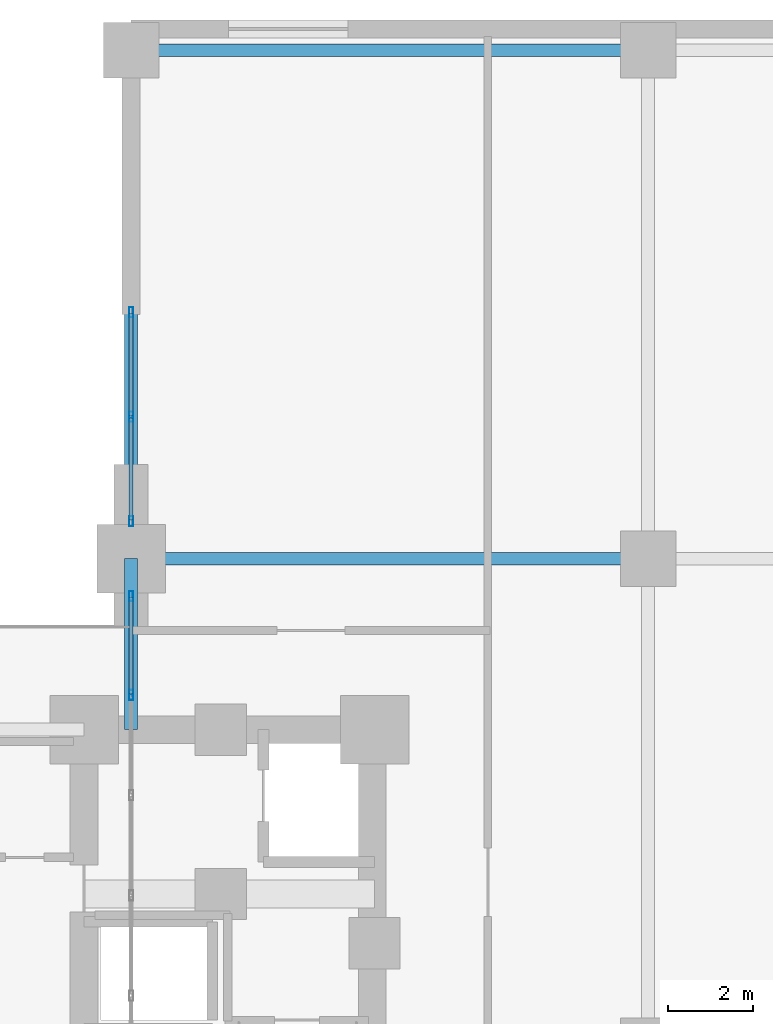
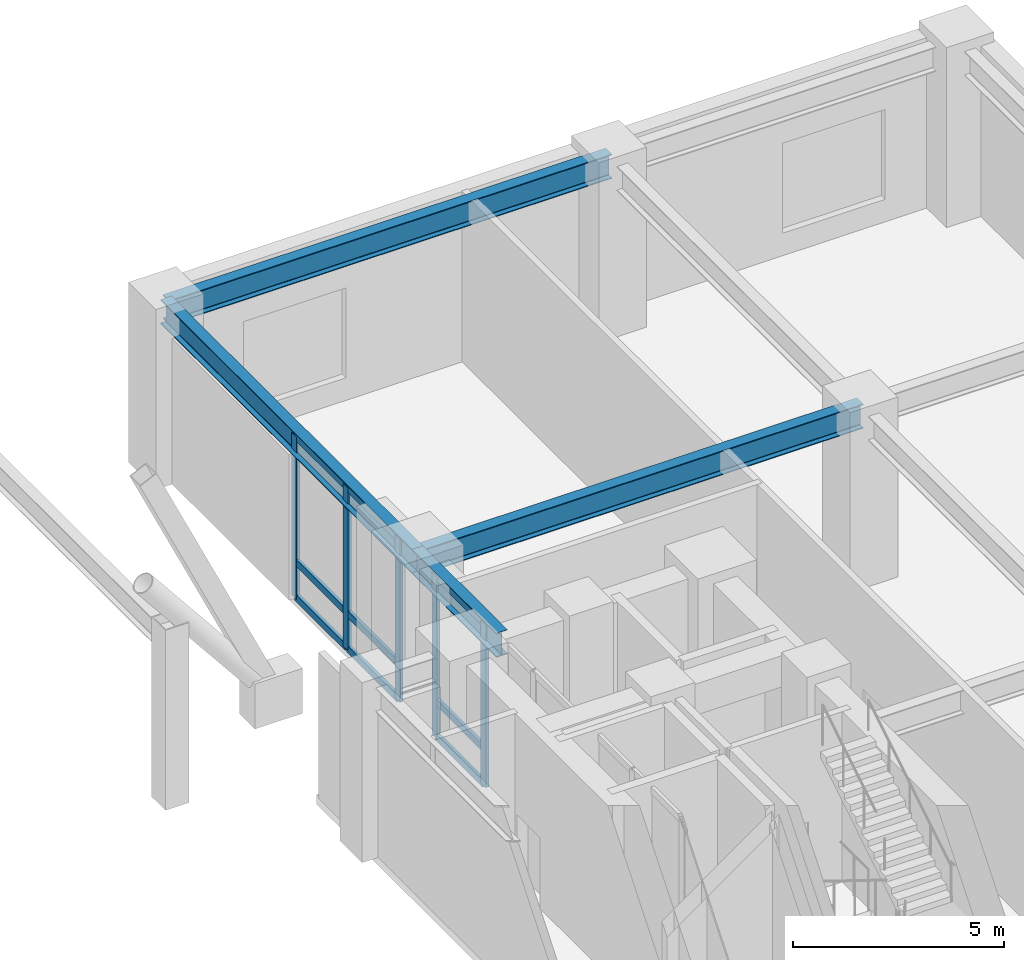
# One storey, part 13 of 26: 14 members, 4 beams, 2 elements without a shape of their own.
"""IFC4 building model written with IfcOpenShell, lengths in metres."""

from ifc_helpers import new_model, si_unit, direction, frame, origin, origin_2d, place, context, subcontext, project, spatial, hollow_rectangle, i_section, extrude, material, layer, layer_set, material_profile, profile_set, type_object, element, aggregate, save


model = new_model("IFC4")

# Units and contexts
model_context = context("Model", 3, precision=1e-05, world=origin(), true_north=direction((0.0, 1.0)))
body_context = subcontext(model_context, "Body", "Model", "MODEL_VIEW")
ifc_project = project(units=[si_unit("LENGTHUNIT", "METRE"), si_unit("AREAUNIT", "SQUARE_METRE"), si_unit("VOLUMEUNIT", "CUBIC_METRE"), si_unit("PLANEANGLEUNIT", "RADIAN"), si_unit("MASSUNIT", "GRAM", prefix="KILO")], contexts=[model_context])

# Site, building, storey
site_placement = place(None, origin())
site = spatial("IfcSite", under=ifc_project, at=site_placement, CompositionType="ELEMENT")
building_placement = place(site_placement, origin())
building = spatial("IfcBuilding", under=site, at=building_placement, Name="Voryun Gate Residences", CompositionType="ELEMENT")
storey_placement = place(building_placement, frame((0.0, 0.0, 10.39990234375)))
storey = spatial("IfcBuildingStorey", under=building, at=storey_placement, Name="L02", CompositionType="ELEMENT", Elevation=10.39990234375)

# Beams
ifc_material_1 = material(Name="Steel SM355", Category="steel")
ifc_material_profile_1 = material_profile(ifc_material_1, i_section(OverallWidth=0.300048828125, OverallDepth=0.699951171875, WebThickness=0.012939453125, FlangeThickness=0.02392578125, FilletRadius=0.01806640625, at=origin_2d()), Name="H-700x300x13x24")
ifc_profile_set_1 = profile_set([ifc_material_profile_1], Name="Steel SM355")
beam_type = type_object("IfcBeamType", Name="BM_GIRD_700", PredefinedType="USERDEFINED", material=ifc_profile_set_1)
for number, where, z_axis, x_axis, name in (
    (1, (13.5, 11.39990234375, 4.570068359375), (1.0, 0.0, 0.0), (0.0, 1.0, 0.0), "BM-L02-PEX-+11.4-0"),
    (2, (13.5, 23.300048828125, 4.570068359375), (1.0, 0.0, 0.0), (0.0, 1.0, 0.0), "BM-L02-PEX-+23.3-0"),
):
    element("IfcBeam", number, at=place(storey_placement, frame(where, z_axis=z_axis, x_axis=x_axis)), inside=storey, type_object=beam_type, Name=name, ObjectType="GIRDER", PredefinedType="USERDEFINED", context=body_context, shape_type="SweptSolid", body=[
        extrude(i_section(OverallWidth=0.300048828125, OverallDepth=0.699951171875, WebThickness=0.012939453125, FlangeThickness=0.02392578125, FilletRadius=0.01806640625, at=origin_2d()), origin(), (0.0, 0.0, 1.0), 12.10009765625),
    ])
beam_1_placement = place(storey_placement, frame((13.5, 7.39990234375, 4.570068359375), z_axis=(0.0, 1.0, 0.0), x_axis=(-1.0, 0.0, 0.0)))
element("IfcBeam", 3, at=beam_1_placement, inside=storey, type_object=beam_type, Name="BM-L02-PEYA-+7.4", ObjectType="GIRDER", PredefinedType="USERDEFINED", context=body_context, shape_type="SweptSolid", body=[
    extrude(i_section(OverallWidth=0.300048828125, OverallDepth=0.699951171875, WebThickness=0.012939453125, FlangeThickness=0.02392578125, FilletRadius=0.01806640625, at=origin_2d()), origin(), (0.0, 0.0, 1.0), 4.0),
])
beam_2_placement = place(storey_placement, frame((13.5, 11.39990234375, 4.570068359375), z_axis=(0.0, 1.0, 0.0), x_axis=(-1.0, 0.0, 0.0)))
element("IfcBeam", 4, at=beam_2_placement, inside=storey, type_object=beam_type, Name="BM-L02-PEYA-+11.4", ObjectType="GIRDER", PredefinedType="USERDEFINED", context=body_context, shape_type="SweptSolid", body=[
    extrude(i_section(OverallWidth=0.300048828125, OverallDepth=0.699951171875, WebThickness=0.012939453125, FlangeThickness=0.02392578125, FilletRadius=0.01806640625, at=origin_2d()), origin(), (0.0, 0.0, 1.0), 11.900146484375),
])

# Curtain wall, members
ifc_material_2 = material(Name="Anodised aluminium", Category="aluminium")
ifc_layer = layer(ifc_material_2, 0.239990234375, Name="CW_SYS_ARCH_DARK_GLASS")
ifc_layer_set = layer_set([ifc_layer], Name="Anodised aluminium")
curtain_wall_type = type_object("IfcCurtainWallType", Name="CW_SYS_ARCH_DARK_GLASS", PredefinedType="NOTDEFINED", material=ifc_layer_set)
curtain_wall_1_placement = place(storey_placement, origin())
curtain_wall_1 = element("IfcCurtainWall", 5, at=curtain_wall_1_placement, inside=storey, type_object=curtain_wall_type, Name="Curtain wall CW2-L02-EP-M", PredefinedType="NOTDEFINED")
ifc_material_3 = material(Name="Anodised aluminium", Category="aluminium")
ifc_material_profile_2 = material_profile(ifc_material_3, hollow_rectangle(XDim=0.090087890625, YDim=0.239990234375, WallThickness=0.006103515625, at=origin_2d()), Name="ALU-MULL-240x90x6")
ifc_profile_set_2 = profile_set([ifc_material_profile_2], Name="Anodised aluminium")
member_type_1 = type_object("IfcMemberType", Name="CW_MULL_ARCH", PredefinedType="MULLION", material=ifc_profile_set_2)
member_1_placement = place(storey_placement, frame((13.5, 8.20947265625, 0.0), z_axis=(0.0, 0.0, 1.0), x_axis=(-1.0, 0.0, 0.0)))
member_1 = element("IfcMember", 6, at=member_1_placement, type_object=member_type_1, Name="CW2 mullion 9", PredefinedType="MULLION", context=body_context, shape_type="SweptSolid", body=[
    extrude(hollow_rectangle(XDim=0.090087890625, YDim=0.239990234375, WallThickness=0.006103515625, at=origin_2d()), origin(), (0.0, 0.0, 1.0), 4.7001953125),
])
member_2_placement = place(storey_placement, frame((13.5, 10.52490234375, 0.0), z_axis=(0.0, 0.0, 1.0), x_axis=(-1.0, 0.0, 0.0)))
member_2 = element("IfcMember", 7, at=member_2_placement, type_object=member_type_1, Name="CW2 mullion 10", PredefinedType="MULLION", context=body_context, shape_type="SweptSolid", body=[
    extrude(hollow_rectangle(XDim=0.090087890625, YDim=0.239990234375, WallThickness=0.006103515625, at=origin_2d()), origin(), (0.0, 0.0, 1.0), 4.7001953125),
])

curtain_wall_2_placement = place(storey_placement, origin())
curtain_wall_2 = element("IfcCurtainWall", 8, at=curtain_wall_2_placement, inside=storey, type_object=curtain_wall_type, Name="Curtain wall CW2-L02-EP-N", PredefinedType="NOTDEFINED")
member_3_placement = place(storey_placement, frame((13.5, 12.27490234375, 0.0), z_axis=(0.0, 0.0, 1.0), x_axis=(-1.0, 0.0, 0.0)))
member_3 = element("IfcMember", 9, at=member_3_placement, type_object=member_type_1, Name="CW2 mullion 1", PredefinedType="MULLION", context=body_context, shape_type="SweptSolid", body=[
    extrude(hollow_rectangle(XDim=0.090087890625, YDim=0.239990234375, WallThickness=0.006103515625, at=origin_2d()), origin(), (0.0, 0.0, 1.0), 4.7001953125),
])
member_4_placement = place(storey_placement, frame((13.5, 14.722412109375, 0.0), z_axis=(0.0, 0.0, 1.0), x_axis=(-1.0, 0.0, 0.0)))
member_4 = element("IfcMember", 10, at=member_4_placement, type_object=member_type_1, Name="CW2 mullion 2", PredefinedType="MULLION", context=body_context, shape_type="SweptSolid", body=[
    extrude(hollow_rectangle(XDim=0.090087890625, YDim=0.239990234375, WallThickness=0.006103515625, at=origin_2d()), origin(), (0.0, 0.0, 1.0), 4.7001953125),
])
member_5_placement = place(storey_placement, frame((13.5, 17.169921875, 0.0), z_axis=(0.0, 0.0, 1.0), x_axis=(-1.0, 0.0, 0.0)))
member_5 = element("IfcMember", 11, at=member_5_placement, type_object=member_type_1, Name="CW2 mullion 3", PredefinedType="MULLION", context=body_context, shape_type="SweptSolid", body=[
    extrude(hollow_rectangle(XDim=0.090087890625, YDim=0.239990234375, WallThickness=0.006103515625, at=origin_2d()), origin(), (0.0, 0.0, 1.0), 4.7001953125),
])

# Member
ifc_material_4 = material(Name="Anodised aluminium", Category="aluminium")
ifc_material_profile_3 = material_profile(ifc_material_4, hollow_rectangle(XDim=0.090087890625, YDim=0.199951171875, WallThickness=0.006103515625, at=origin_2d()), Name="ALU-TRAN-200x90x6")
ifc_profile_set_3 = profile_set([ifc_material_profile_3], Name="Anodised aluminium")
member_type_2 = type_object("IfcMemberType", Name="CW_TRAN_ARCH", PredefinedType="USERDEFINED", material=ifc_profile_set_3)
member_6_placement = place(storey_placement, frame((13.5, 8.239501953125, 0.030029296875), z_axis=(0.0, 1.0, 0.0), x_axis=(-1.0, 0.0, 0.0)))
member_6 = element("IfcMember", 12, at=member_6_placement, type_object=member_type_2, Name="CW2 transom 9.1", ObjectType="TRANSOM", PredefinedType="USERDEFINED", context=body_context, shape_type="SweptSolid", body=[
    extrude(hollow_rectangle(XDim=0.090087890625, YDim=0.199951171875, WallThickness=0.006103515625, at=origin_2d()), origin(), (0.0, 0.0, 1.0), 2.255615234375),
])

member_7_placement = place(storey_placement, frame((13.5, 8.239501953125, 1.050048828125), z_axis=(0.0, 1.0, 0.0), x_axis=(-1.0, 0.0, 0.0)))
member_7 = element("IfcMember", 13, at=member_7_placement, type_object=member_type_2, Name="CW2 transom 9.2", ObjectType="TRANSOM", PredefinedType="USERDEFINED", context=body_context, shape_type="SweptSolid", body=[
    extrude(hollow_rectangle(XDim=0.090087890625, YDim=0.199951171875, WallThickness=0.006103515625, at=origin_2d()), origin(), (0.0, 0.0, 1.0), 2.255615234375),
])

member_8_placement = place(storey_placement, frame((13.5, 8.239501953125, 4.670166015625), z_axis=(0.0, 1.0, 0.0), x_axis=(-1.0, 0.0, 0.0)))
member_8 = element("IfcMember", 14, at=member_8_placement, type_object=member_type_2, Name="CW2 transom 9.3", ObjectType="TRANSOM", PredefinedType="USERDEFINED", context=body_context, shape_type="SweptSolid", body=[
    extrude(hollow_rectangle(XDim=0.090087890625, YDim=0.199951171875, WallThickness=0.006103515625, at=origin_2d()), origin(), (0.0, 0.0, 1.0), 2.255615234375),
])

aggregate(curtain_wall_1, [member_1, member_2, member_6, member_7, member_8])

member_9_placement = place(storey_placement, frame((13.5, 12.304931640625, 0.030029296875), z_axis=(0.0, 1.0, 0.0), x_axis=(-1.0, 0.0, 0.0)))
member_9 = element("IfcMember", 15, at=member_9_placement, type_object=member_type_2, Name="CW2 transom 1.1", ObjectType="TRANSOM", PredefinedType="USERDEFINED", context=body_context, shape_type="SweptSolid", body=[
    extrude(hollow_rectangle(XDim=0.090087890625, YDim=0.199951171875, WallThickness=0.006103515625, at=origin_2d()), origin(), (0.0, 0.0, 1.0), 2.387451171875),
])

member_10_placement = place(storey_placement, frame((13.5, 12.304931640625, 1.050048828125), z_axis=(0.0, 1.0, 0.0), x_axis=(-1.0, 0.0, 0.0)))
member_10 = element("IfcMember", 16, at=member_10_placement, type_object=member_type_2, Name="CW2 transom 1.2", ObjectType="TRANSOM", PredefinedType="USERDEFINED", context=body_context, shape_type="SweptSolid", body=[
    extrude(hollow_rectangle(XDim=0.090087890625, YDim=0.199951171875, WallThickness=0.006103515625, at=origin_2d()), origin(), (0.0, 0.0, 1.0), 2.387451171875),
])

member_11_placement = place(storey_placement, frame((13.5, 12.304931640625, 4.670166015625), z_axis=(0.0, 1.0, 0.0), x_axis=(-1.0, 0.0, 0.0)))
member_11 = element("IfcMember", 17, at=member_11_placement, type_object=member_type_2, Name="CW2 transom 1.3", ObjectType="TRANSOM", PredefinedType="USERDEFINED", context=body_context, shape_type="SweptSolid", body=[
    extrude(hollow_rectangle(XDim=0.090087890625, YDim=0.199951171875, WallThickness=0.006103515625, at=origin_2d()), origin(), (0.0, 0.0, 1.0), 2.387451171875),
])

member_12_placement = place(storey_placement, frame((13.5, 14.75244140625, 0.030029296875), z_axis=(0.0, 1.0, 0.0), x_axis=(-1.0, 0.0, 0.0)))
member_12 = element("IfcMember", 18, at=member_12_placement, type_object=member_type_2, Name="CW2 transom 2.1", ObjectType="TRANSOM", PredefinedType="USERDEFINED", context=body_context, shape_type="SweptSolid", body=[
    extrude(hollow_rectangle(XDim=0.090087890625, YDim=0.199951171875, WallThickness=0.006103515625, at=origin_2d()), origin(), (0.0, 0.0, 1.0), 2.387451171875),
])

member_13_placement = place(storey_placement, frame((13.5, 14.75244140625, 1.050048828125), z_axis=(0.0, 1.0, 0.0), x_axis=(-1.0, 0.0, 0.0)))
member_13 = element("IfcMember", 19, at=member_13_placement, type_object=member_type_2, Name="CW2 transom 2.2", ObjectType="TRANSOM", PredefinedType="USERDEFINED", context=body_context, shape_type="SweptSolid", body=[
    extrude(hollow_rectangle(XDim=0.090087890625, YDim=0.199951171875, WallThickness=0.006103515625, at=origin_2d()), origin(), (0.0, 0.0, 1.0), 2.387451171875),
])

member_14_placement = place(storey_placement, frame((13.5, 14.75244140625, 4.670166015625), z_axis=(0.0, 1.0, 0.0), x_axis=(-1.0, 0.0, 0.0)))
member_14 = element("IfcMember", 20, at=member_14_placement, type_object=member_type_2, Name="CW2 transom 2.3", ObjectType="TRANSOM", PredefinedType="USERDEFINED", context=body_context, shape_type="SweptSolid", body=[
    extrude(hollow_rectangle(XDim=0.090087890625, YDim=0.199951171875, WallThickness=0.006103515625, at=origin_2d()), origin(), (0.0, 0.0, 1.0), 2.387451171875),
])

aggregate(curtain_wall_2, [member_3, member_4, member_5, member_9, member_10, member_11, member_12, member_13, member_14])

save(model, "model.ifc")
